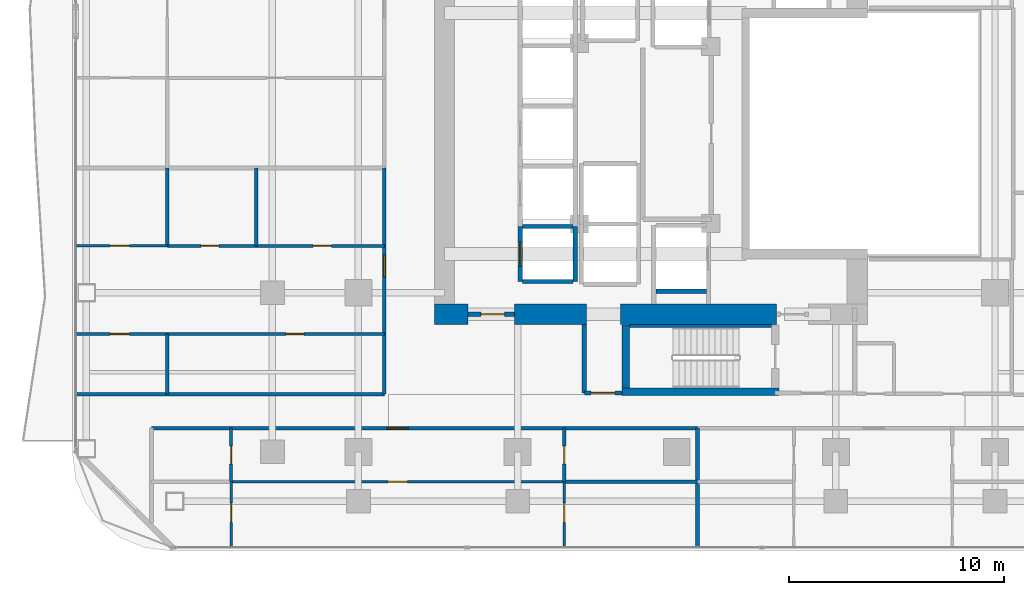
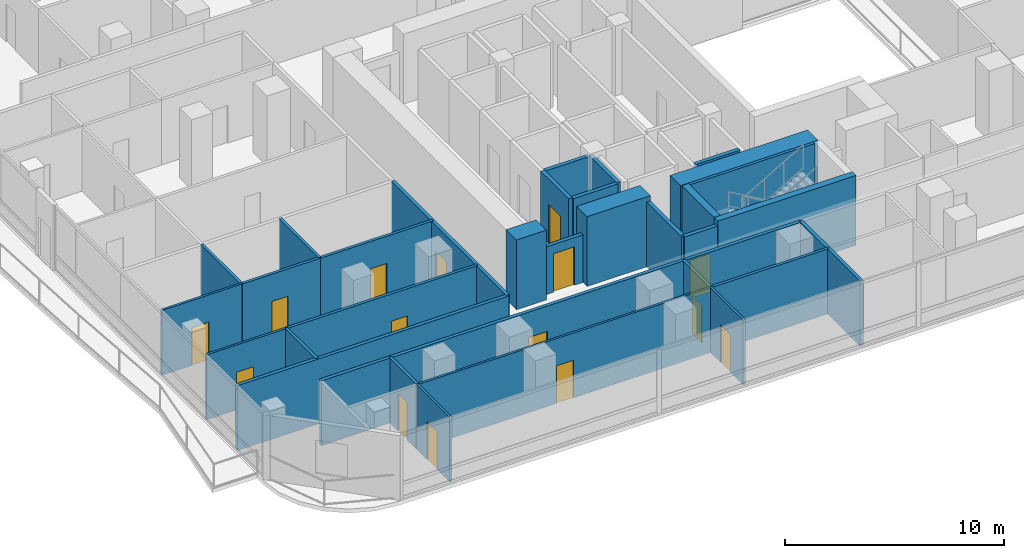
# One storey, part 19 of 28: 32 walls, 15 doors, 15 openings.
"""IFC4 building model written with IfcOpenShell, lengths in metres."""

from ifc_helpers import new_model, si_unit, direction, frame, frame_2d, origin, place, context, subcontext, project, spatial, rectangle, extrude, material, layer, layer_set, type_object, element, fill, save


model = new_model("IFC4")

# Units and contexts
model_context = context("Model", 3, precision=1e-05, world=origin(), true_north=direction((0.0, 1.0)))
body_context = subcontext(model_context, "Body", "Model", "MODEL_VIEW")
ifc_project = project(units=[si_unit("LENGTHUNIT", "METRE"), si_unit("AREAUNIT", "SQUARE_METRE"), si_unit("VOLUMEUNIT", "CUBIC_METRE"), si_unit("PLANEANGLEUNIT", "RADIAN"), si_unit("MASSUNIT", "GRAM", prefix="KILO")], contexts=[model_context])

# Site, building, storey
site_placement = place(None, origin())
site = spatial("IfcSite", under=ifc_project, at=site_placement, CompositionType="ELEMENT")
building_placement = place(site_placement, origin())
building = spatial("IfcBuilding", under=site, at=building_placement, Name="Khorvyn Point Tower", CompositionType="ELEMENT")
storey_placement = place(building_placement, frame((0.0, 0.0, 104.699951171875)))
storey = spatial("IfcBuildingStorey", under=building, at=storey_placement, Name="L26", CompositionType="ELEMENT", Elevation=104.699951171875)

# Wall, opening, door
ifc_material_1 = material(Name="Double acoustic gypsum on twin steel stud", Category="steel")
ifc_layer_1 = layer(ifc_material_1, 0.179931640625)
ifc_layer_set_1 = layer_set([ifc_layer_1], Name="Acoustic Double-Stud Apartment Demising Wall 180")
wall_type_1 = type_object("IfcWallType", Name="Acoustic Double-Stud Apartment Demising Wall 180", PredefinedType="PARTITIONING", material=ifc_layer_set_1)
wall_1_placement = place(storey_placement, frame((-24.419921875, -13.699951171875, 0.0), z_axis=(0.0, 0.0, 1.0), x_axis=(1.0, 0.0, 0.0)))
wall_1 = element("IfcWall", 1, at=wall_1_placement, inside=storey, type_object=wall_type_1, Name="Wall", PredefinedType="PARTITIONING", context=body_context, shape_type="SweptSolid", body=[
    extrude(rectangle(XDim=25.39404296875, YDim=0.179931640625, at=frame_2d((12.697021484375, 0.0))), origin(), (0.0, 0.0, 1.0), 3.6201171875),
])
opening_1_placement = place(wall_1_placement, frame((10.939453125, 0.0, 0.0)))
opening_1 = element("IfcOpeningElement", 2, at=opening_1_placement, cuts=wall_1, Name="Opening ID-AP60", PredefinedType="OPENING", context=body_context, shape_type="SweptSolid", body=[
    extrude(rectangle(XDim=1.0, YDim=2.199951171875, at=frame_2d((0.5, 1.10009765625))), frame((0.0, 0.099853515625, 0.0), z_axis=(0.0, -1.0, 0.0), x_axis=(1.0, 0.0, 0.0)), (0.0, 0.0, 1.0), 0.199951171875),
])
ifc_material_2 = material(Name="Engineered hardwood fire-rated leaf", Category="wood")
door_type_1 = type_object("IfcDoorType", Name="Acoustic Solid-Core Timber Apartment Entrance Door 1000x2200", OperationType="NOTDEFINED", PredefinedType="DOOR", material=ifc_material_2)
door_1_placement = place(opening_1_placement, origin())
door_1 = element("IfcDoor", 3, at=door_1_placement, inside=storey, type_object=door_type_1, Name="Door", OperationType="SINGLE_SWING_RIGHT", OverallHeight=2.199951171875, OverallWidth=1.0, PredefinedType="DOOR", context=body_context, shape_type="SweptSolid", body=[
    extrude(rectangle(XDim=1.0, YDim=2.199951171875, at=frame_2d((0.5, 1.10009765625))), frame((0.0, 0.02490234375, 0.0), z_axis=(0.0, -1.0, 0.0), x_axis=(1.0, 0.0, 0.0)), (0.0, 0.0, 1.0), 0.050048828125),
])
fill(opening_1, door_1)

wall_2_placement = place(storey_placement, frame((-13.60009765625, -12.1201171875, 0.0), z_axis=(0.0, 0.0, 1.0), x_axis=(0.0, 1.0, 0.0)))
wall_2 = element("IfcWall", 4, at=wall_2_placement, inside=storey, type_object=wall_type_1, Name="Wall", PredefinedType="PARTITIONING", context=body_context, shape_type="SweptSolid", body=[
    extrude(rectangle(XDim=10.52001953125, YDim=0.179931640625, at=frame_2d((5.260009765625, 0.0))), origin(), (0.0, 0.0, 1.0), 3.6201171875),
])
opening_2_placement = place(wall_2_placement, frame((5.4677734375, 0.0, 0.0)))
opening_2 = element("IfcOpeningElement", 5, at=opening_2_placement, cuts=wall_2, Name="Opening ID-AP60", PredefinedType="OPENING", context=body_context, shape_type="SweptSolid", body=[
    extrude(rectangle(XDim=1.0, YDim=2.199951171875, at=frame_2d((0.5, 1.10009765625))), frame((0.0, 0.099853515625, 0.0), z_axis=(0.0, -1.0, 0.0), x_axis=(1.0, 0.0, 0.0)), (0.0, 0.0, 1.0), 0.199951171875),
])
door_2_placement = place(opening_2_placement, origin())
door_2 = element("IfcDoor", 6, at=door_2_placement, inside=storey, type_object=door_type_1, Name="Door", OperationType="SINGLE_SWING_LEFT", OverallHeight=2.199951171875, OverallWidth=1.0, PredefinedType="DOOR", context=body_context, shape_type="SweptSolid", body=[
    extrude(rectangle(XDim=1.0, YDim=2.199951171875, at=frame_2d((0.5, 1.10009765625))), frame((0.0, 0.02490234375, 0.0), z_axis=(0.0, -1.0, 0.0), x_axis=(1.0, 0.0, 0.0)), (0.0, 0.0, 1.0), 0.050048828125),
])
fill(opening_2, door_2)

# Walls
wall_3_placement = place(storey_placement, frame((0.97412109375, -19.22998046875, 0.0), z_axis=(0.0, 0.0, 1.0), x_axis=(0.0, 1.0, 0.0)))
element("IfcWall", 7, at=wall_3_placement, inside=storey, type_object=wall_type_1, Name="Wall", PredefinedType="PARTITIONING", context=body_context, shape_type="SweptSolid", body=[
    extrude(rectangle(XDim=5.530029296875, YDim=0.179931640625, at=frame_2d((2.76513671875, 0.0))), origin(), (0.0, 0.0, 1.0), 3.6201171875),
])
wall_4_placement = place(storey_placement, frame((-27.929931640625, -12.1201171875, 0.0), z_axis=(0.0, 0.0, 1.0), x_axis=(1.0, 0.0, 0.0)))
element("IfcWall", 8, at=wall_4_placement, inside=storey, type_object=wall_type_1, Name="Wall", PredefinedType="PARTITIONING", context=body_context, shape_type="SweptSolid", body=[
    extrude(rectangle(XDim=14.329833984375, YDim=0.179931640625, at=frame_2d((7.1650390625, 0.0))), origin(), (0.0, 0.0, 1.0), 3.6201171875),
])

# Wall, opening, door
ifc_material_3 = material(Name="Concrete C40/50", Category="concrete")
ifc_layer_2 = layer(ifc_material_3, 0.199951171875)
ifc_layer_set_2 = layer_set([ifc_layer_2], Name="Concrete C40/50 Fire-Lobby Compartment Wall 200")
wall_type_2 = type_object("IfcWallType", Name="Concrete C40/50 Fire-Lobby Compartment Wall 200", PredefinedType="SOLIDWALL", material=ifc_layer_set_2)
wall_5_placement = place(storey_placement, frame((-9.699951171875, -8.39990234375, 0.0), z_axis=(0.0, 0.0, 1.0), x_axis=(1.0, 0.0, 0.0)))
wall_5 = element("IfcWall", 9, at=wall_5_placement, inside=storey, type_object=wall_type_2, Name="Wall", PredefinedType="SOLIDWALL", context=body_context, shape_type="SweptSolid", body=[
    extrude(rectangle(XDim=2.14990234375, YDim=0.199951171875, at=frame_2d((1.074951171875, 0.0))), origin(), (0.0, 0.0, 1.0), 2.66015625),
])
opening_3_placement = place(wall_5_placement, frame((0.597900390625, 0.0, 0.0)))
opening_3 = element("IfcOpeningElement", 10, at=opening_3_placement, cuts=wall_5, Name="Opening ID-FL90", PredefinedType="OPENING", context=body_context, shape_type="SweptSolid", body=[
    extrude(rectangle(XDim=1.10009765625, YDim=2.14990234375, at=frame_2d((0.550048828125, 1.074951171875))), frame((0.0, 0.10986328125, 0.0), z_axis=(0.0, -1.0, 0.0), x_axis=(1.0, 0.0, 0.0)), (0.0, 0.0, 1.0), 0.219970703125),
])
ifc_material_4 = material(Name="Galvanised powder-coated steel", Category="steel")
door_type_2 = type_object("IfcDoorType", Name="Fire-Rated Steel Lobby and Stair Door 1100x2150", OperationType="NOTDEFINED", PredefinedType="DOOR", material=ifc_material_4)
door_3_placement = place(opening_3_placement, origin())
door_3 = element("IfcDoor", 11, at=door_3_placement, inside=storey, type_object=door_type_2, Name="Door", OperationType="SINGLE_SWING_LEFT", OverallHeight=2.14990234375, OverallWidth=1.10009765625, PredefinedType="DOOR", context=body_context, shape_type="SweptSolid", body=[
    extrude(rectangle(XDim=1.10009765625, YDim=2.14990234375, at=frame_2d((0.550048828125, 1.074951171875))), frame((0.0, 0.02490234375, 0.0), z_axis=(0.0, -1.0, 0.0), x_axis=(1.0, 0.0, 0.0)), (0.0, 0.0, 1.0), 0.050048828125),
])
fill(opening_3, door_3)

wall_6_placement = place(storey_placement, frame((-4.300048828125, -12.06005859375, 0.0), z_axis=(0.0, 0.0, 1.0), x_axis=(1.0, 0.0, 0.0)))
wall_6 = element("IfcWall", 12, at=wall_6_placement, inside=storey, type_object=wall_type_2, Name="Wall", PredefinedType="SOLIDWALL", context=body_context, shape_type="SweptSolid", body=[
    extrude(rectangle(XDim=1.75, YDim=0.199951171875, at=frame_2d((0.875, 0.0))), origin(), (0.0, 0.0, 1.0), 3.6201171875),
])
opening_4_placement = place(wall_6_placement, frame((0.324951171875, 0.0, 0.0)))
opening_4 = element("IfcOpeningElement", 13, at=opening_4_placement, cuts=wall_6, Name="Opening ID-FL90", PredefinedType="OPENING", context=body_context, shape_type="SweptSolid", body=[
    extrude(rectangle(XDim=1.10009765625, YDim=2.14990234375, at=frame_2d((0.550048828125, 1.074951171875))), frame((0.0, 0.10986328125, 0.0), z_axis=(0.0, -1.0, 0.0), x_axis=(1.0, 0.0, 0.0)), (0.0, 0.0, 1.0), 0.219970703125),
])
door_4_placement = place(opening_4_placement, origin())
door_4 = element("IfcDoor", 14, at=door_4_placement, inside=storey, type_object=door_type_2, Name="Door", OperationType="SINGLE_SWING_LEFT", OverallHeight=2.14990234375, OverallWidth=1.10009765625, PredefinedType="DOOR", context=body_context, shape_type="SweptSolid", body=[
    extrude(rectangle(XDim=1.10009765625, YDim=2.14990234375, at=frame_2d((0.550048828125, 1.074951171875))), frame((0.0, 0.02490234375, 0.0), z_axis=(0.0, -1.0, 0.0), x_axis=(1.0, 0.0, 0.0)), (0.0, 0.0, 1.0), 0.050048828125),
])
fill(opening_4, door_4)

# Walls
wall_7_placement = place(storey_placement, frame((-4.300048828125, -12.06005859375, 0.0), z_axis=(0.0, 0.0, 1.0), x_axis=(0.0, 1.0, 0.0)))
element("IfcWall", 15, at=wall_7_placement, inside=storey, type_object=wall_type_2, Name="Wall", PredefinedType="SOLIDWALL", context=body_context, shape_type="SweptSolid", body=[
    extrude(rectangle(XDim=3.18505859375, YDim=0.199951171875, at=frame_2d((1.592529296875, 0.0))), origin(), (0.0, 0.0, 1.0), 3.6201171875),
])
ifc_layer_3 = layer(ifc_material_3, 0.25)
ifc_layer_set_3 = layer_set([ifc_layer_3], Name="Concrete C40/50 Stair Inner Cheek Structural Wall 250")
wall_type_3 = type_object("IfcWallType", Name="Concrete C40/50 Stair Inner Cheek Structural Wall 250", PredefinedType="SHEAR", material=ifc_layer_set_3)
wall_8_placement = place(storey_placement, frame((-2.199951171875, -8.949951171875, 0.0), z_axis=(0.0, 0.0, 1.0), x_axis=(1.0, 0.0, 0.0)))
element("IfcWall", 16, at=wall_8_placement, inside=storey, type_object=wall_type_3, Name="Wall", PredefinedType="SHEAR", context=body_context, shape_type="SweptSolid", body=[
    extrude(rectangle(XDim=6.599853515625, YDim=0.14990234375, at=frame_2d((3.2998046875, 0.0))), origin(), (0.0, 0.0, 1.0), 3.900146484375),
])
ifc_layer_4 = layer(ifc_material_3, 0.35009765625)
ifc_layer_set_4 = layer_set([ifc_layer_4], Name="Concrete C40/50 Stair Shaft Structural Wall 350")
wall_type_4 = type_object("IfcWallType", Name="Concrete C40/50 Stair Shaft Structural Wall 350", PredefinedType="SHEAR", material=ifc_layer_set_4)
wall_9_placement = place(storey_placement, frame((-2.554931640625, -12.0, 0.0), z_axis=(0.0, 0.0, 1.0), x_axis=(1.0, 0.0, 0.0)))
element("IfcWall", 17, at=wall_9_placement, inside=storey, type_object=wall_type_4, Name="L26 ST-01 South Shaft Wall", PredefinedType="SHEAR", context=body_context, shape_type="SweptSolid", body=[
    extrude(rectangle(XDim=7.309814453125, YDim=0.35009765625, at=frame_2d((3.65478515625, 0.0))), origin(), (0.0, 0.0, 1.0), 3.900146484375),
])
wall_10_placement = place(storey_placement, frame((-2.3798828125, -11.824951171875, 0.0), z_axis=(0.0, 0.0, 1.0), x_axis=(0.0, 1.0, 0.0)))
element("IfcWall", 18, at=wall_10_placement, inside=storey, type_object=wall_type_4, Name="L26 ST-01 West Shaft Wall", PredefinedType="SHEAR", context=body_context, shape_type="SweptSolid", body=[
    extrude(rectangle(XDim=2.925048828125, YDim=0.35009765625, at=frame_2d((1.46240234375, 0.0))), origin(), (0.0, 0.0, 1.0), 3.900146484375),
])

# Wall, opening, door
ifc_layer_5 = layer(ifc_material_3, 0.199951171875)
ifc_layer_set_5 = layer_set([ifc_layer_5], Name="Concrete C40/50 Structural Hoistway and Stair Shaft Wall 200")
wall_type_5 = type_object("IfcWallType", Name="Concrete C40/50 Structural Hoistway and Stair Shaft Wall 200", PredefinedType="SHEAR", material=ifc_layer_set_5)
wall_11_placement = place(storey_placement, frame((-7.27490234375, -6.875, 0.0), z_axis=(0.0, 0.0, 1.0), x_axis=(0.0, 1.0, 0.0)))
wall_11 = element("IfcWall", 19, at=wall_11_placement, inside=storey, type_object=wall_type_5, Name="Wall", PredefinedType="SHEAR", context=body_context, shape_type="SweptSolid", body=[
    extrude(rectangle(XDim=2.550048828125, YDim=0.199951171875, at=frame_2d((1.27490234375, 0.0))), origin(), (0.0, 0.0, 1.0), 3.6201171875),
])
opening_5_placement = place(wall_11_placement, frame((0.72509765625, 0.0, 0.0)))
opening_5 = element("IfcOpeningElement", 20, at=opening_5_placement, cuts=wall_11, Name="Opening LD-1122", PredefinedType="OPENING", context=body_context, shape_type="SweptSolid", body=[
    extrude(rectangle(XDim=1.10009765625, YDim=2.199951171875, at=frame_2d((0.550048828125, 1.10009765625))), frame((0.0, 0.10986328125, 0.0), z_axis=(0.0, -1.0, 0.0), x_axis=(1.0, 0.0, 0.0)), (0.0, 0.0, 1.0), 0.219970703125),
])
ifc_material_5 = material(Name="Stainless steel 1.4301", Category="steel")
door_type_3 = type_object("IfcDoorType", Name="Stainless Steel Automatic Sliding Lift Landing Door 1100x2200", OperationType="SLIDING_TO_LEFT", PredefinedType="DOOR", material=ifc_material_5)
door_5_placement = place(opening_5_placement, origin())
door_5 = element("IfcDoor", 21, at=door_5_placement, inside=storey, type_object=door_type_3, Name="L26 RL-01 Sliding Lift Landing Door", OperationType="SLIDING_TO_LEFT", OverallHeight=2.199951171875, OverallWidth=1.10009765625, PredefinedType="DOOR", context=body_context, shape_type="SweptSolid", body=[
    extrude(rectangle(XDim=1.10009765625, YDim=2.199951171875, at=frame_2d((0.550048828125, 1.10009765625))), frame((0.0, 0.02490234375, 0.0), z_axis=(0.0, -1.0, 0.0), x_axis=(1.0, 0.0, 0.0)), (0.0, 0.0, 1.0), 0.050048828125),
])
fill(opening_5, door_5)

# Walls
wall_12_placement = place(storey_placement, frame((-4.72509765625, -6.875, 0.0), z_axis=(0.0, 0.0, 1.0), x_axis=(0.0, 1.0, 0.0)))
element("IfcWall", 22, at=wall_12_placement, inside=storey, type_object=wall_type_5, Name="Wall", PredefinedType="SHEAR", context=body_context, shape_type="SweptSolid", body=[
    extrude(rectangle(XDim=2.550048828125, YDim=0.199951171875, at=frame_2d((1.27490234375, 0.0))), origin(), (0.0, 0.0, 1.0), 3.6201171875),
])
for number, where, z_axis, x_axis, name in (
    (23, (-7.175048828125, -6.875, 0.0), (0.0, 0.0, 1.0), (1.0, 0.0, 0.0), "Wall"),
    (24, (-7.175048828125, -4.324951171875, 0.0), (0.0, 0.0, 1.0), (1.0, 0.0, 0.0), "Wall"),
    (25, (-0.97509765625, -7.324951171875, 0.0), (0.0, 0.0, 1.0), (1.0, 0.0, 0.0), "Wall"),
):
    element("IfcWall", number, at=place(storey_placement, frame(where, z_axis=z_axis, x_axis=x_axis)), inside=storey, type_object=wall_type_5, Name=name, PredefinedType="SHEAR", context=body_context, shape_type="SweptSolid", body=[
        extrude(rectangle(XDim=2.35009765625, YDim=0.199951171875, at=frame_2d((1.175048828125, 0.0))), origin(), (0.0, 0.0, 1.0), 3.6201171875),
    ])
ifc_material_6 = material(Name="Concrete C50/60", Category="concrete")
ifc_layer_6 = layer(ifc_material_6, 0.949951171875)
ifc_layer_set_6 = layer_set([ifc_layer_6], Name="Concrete C50/60 Core Shear Wall 950")
wall_type_6 = type_object("IfcWallType", Name="Concrete C50/60 Core Shear Wall 950", PredefinedType="SHEAR", material=ifc_layer_set_6)
wall_13_placement = place(storey_placement, frame((-11.27490234375, -8.39990234375, 0.0), z_axis=(0.0, 0.0, 1.0), x_axis=(1.0, 0.0, 0.0)))
element("IfcWall", 26, at=wall_13_placement, inside=storey, type_object=wall_type_6, Name="Wall", PredefinedType="SHEAR", context=body_context, shape_type="SweptSolid", body=[
    extrude(rectangle(XDim=1.574951171875, YDim=0.949951171875, at=frame_2d((0.78759765625, 0.0))), origin(), (0.0, 0.0, 1.0), 3.900146484375),
])
wall_14_placement = place(storey_placement, frame((-7.550048828125, -8.39990234375, 0.0), z_axis=(0.0, 0.0, 1.0), x_axis=(1.0, 0.0, 0.0)))
element("IfcWall", 27, at=wall_14_placement, inside=storey, type_object=wall_type_6, Name="Wall", PredefinedType="SHEAR", context=body_context, shape_type="SweptSolid", body=[
    extrude(rectangle(XDim=3.35009765625, YDim=0.949951171875, at=frame_2d((1.675048828125, 0.0))), origin(), (0.0, 0.0, 1.0), 3.900146484375),
])
wall_15_placement = place(storey_placement, frame((-2.6201171875, -8.39990234375, 0.0), z_axis=(0.0, 0.0, 1.0), x_axis=(1.0, 0.0, 0.0)))
element("IfcWall", 28, at=wall_15_placement, inside=storey, type_object=wall_type_6, Name="Wall", PredefinedType="SHEAR", context=body_context, shape_type="SweptSolid", body=[
    extrude(rectangle(XDim=7.27001953125, YDim=0.949951171875, at=frame_2d((3.635009765625, 0.0))), origin(), (0.0, 0.0, 1.0), 3.900146484375),
])

# Wall, opening, door
ifc_material_7 = material(Name="Gypsum plasterboard on steel stud", Category="steel")
ifc_layer_7 = layer(ifc_material_7, 0.1201171875)
ifc_layer_set_7 = layer_set([ifc_layer_7], Name="Gypsum Acoustic Stud Room Partition Wall 120")
wall_type_7 = type_object("IfcWallType", Name="Gypsum Acoustic Stud Room Partition Wall 120", PredefinedType="PARTITIONING", material=ifc_layer_set_7)
wall_16_placement = place(storey_placement, frame((-20.72509765625, -16.18994140625, 0.0), z_axis=(0.0, 0.0, 1.0), x_axis=(1.0, 0.0, 0.0)))
wall_16 = element("IfcWall", 29, at=wall_16_placement, inside=storey, type_object=wall_type_7, Name="Wall", PredefinedType="PARTITIONING", context=body_context, shape_type="SweptSolid", body=[
    extrude(rectangle(XDim=15.4931640625, YDim=0.1201171875, at=frame_2d((7.74658203125, 0.0))), origin(), (0.0, 0.0, 1.0), 3.6201171875),
])
opening_6_placement = place(wall_16_placement, frame((7.29638671875, 0.0, 0.0)))
opening_6 = element("IfcOpeningElement", 30, at=opening_6_placement, cuts=wall_16, Name="Opening ID-RM90", PredefinedType="OPENING", context=body_context, shape_type="SweptSolid", body=[
    extrude(rectangle(XDim=0.89990234375, YDim=2.10009765625, at=frame_2d((0.449951171875, 1.050048828125))), frame((0.0, 0.070068359375, 0.0), z_axis=(0.0, -1.0, 0.0), x_axis=(1.0, 0.0, 0.0)), (0.0, 0.0, 1.0), 0.14013671875),
])
ifc_material_8 = material(Name="Engineered oak veneer timber", Category="wood")
door_type_4 = type_object("IfcDoorType", Name="Flush Engineered Timber Room Door 900x2100", OperationType="NOTDEFINED", PredefinedType="DOOR", material=ifc_material_8)
door_6_placement = place(opening_6_placement, origin())
door_6 = element("IfcDoor", 31, at=door_6_placement, inside=storey, type_object=door_type_4, Name="Door", OperationType="SINGLE_SWING_LEFT", OverallHeight=2.10009765625, OverallWidth=0.89990234375, PredefinedType="DOOR", context=body_context, shape_type="SweptSolid", body=[
    extrude(rectangle(XDim=0.89990234375, YDim=2.10009765625, at=frame_2d((0.449951171875, 1.050048828125))), frame((0.0, 0.02490234375, 0.0), z_axis=(0.0, -1.0, 0.0), x_axis=(1.0, 0.0, 0.0)), (0.0, 0.0, 1.0), 0.050048828125),
])
fill(opening_6, door_6)

wall_17_placement = place(storey_placement, frame((-20.72509765625, -19.22998046875, 0.0), z_axis=(0.0, 0.0, 1.0), x_axis=(0.0, 1.0, 0.0)))
wall_17 = element("IfcWall", 32, at=wall_17_placement, inside=storey, type_object=wall_type_7, Name="Wall", PredefinedType="PARTITIONING", context=body_context, shape_type="SweptSolid", body=[
    extrude(rectangle(XDim=3.0400390625, YDim=0.1201171875, at=frame_2d((1.52001953125, 0.0))), origin(), (0.0, 0.0, 1.0), 3.6201171875),
])
opening_7_placement = place(wall_17_placement, frame((1.152587890625, 0.0, 0.0)))
opening_7 = element("IfcOpeningElement", 33, at=opening_7_placement, cuts=wall_17, Name="Opening ID-RM90", PredefinedType="OPENING", context=body_context, shape_type="SweptSolid", body=[
    extrude(rectangle(XDim=0.89990234375, YDim=2.10009765625, at=frame_2d((0.449951171875, 1.050048828125))), frame((0.0, 0.070068359375, 0.0), z_axis=(0.0, -1.0, 0.0), x_axis=(1.0, 0.0, 0.0)), (0.0, 0.0, 1.0), 0.14013671875),
])
door_7_placement = place(opening_7_placement, origin())
door_7 = element("IfcDoor", 34, at=door_7_placement, inside=storey, type_object=door_type_4, Name="Door", OperationType="SINGLE_SWING_LEFT", OverallHeight=2.10009765625, OverallWidth=0.89990234375, PredefinedType="DOOR", context=body_context, shape_type="SweptSolid", body=[
    extrude(rectangle(XDim=0.89990234375, YDim=2.10009765625, at=frame_2d((0.449951171875, 1.050048828125))), frame((0.0, 0.02490234375, 0.0), z_axis=(0.0, -1.0, 0.0), x_axis=(1.0, 0.0, 0.0)), (0.0, 0.0, 1.0), 0.050048828125),
])
fill(opening_7, door_7)

wall_18_placement = place(storey_placement, frame((-5.23193359375, -19.22998046875, 0.0), z_axis=(0.0, 0.0, 1.0), x_axis=(0.0, 1.0, 0.0)))
wall_18 = element("IfcWall", 35, at=wall_18_placement, inside=storey, type_object=wall_type_7, Name="Wall", PredefinedType="PARTITIONING", context=body_context, shape_type="SweptSolid", body=[
    extrude(rectangle(XDim=3.0400390625, YDim=0.1201171875, at=frame_2d((1.52001953125, 0.0))), origin(), (0.0, 0.0, 1.0), 3.6201171875),
])
opening_8_placement = place(wall_18_placement, frame((1.152587890625, 0.0, 0.0)))
opening_8 = element("IfcOpeningElement", 36, at=opening_8_placement, cuts=wall_18, Name="Opening ID-RM90", PredefinedType="OPENING", context=body_context, shape_type="SweptSolid", body=[
    extrude(rectangle(XDim=0.89990234375, YDim=2.10009765625, at=frame_2d((0.449951171875, 1.050048828125))), frame((0.0, 0.070068359375, 0.0), z_axis=(0.0, -1.0, 0.0), x_axis=(1.0, 0.0, 0.0)), (0.0, 0.0, 1.0), 0.14013671875),
])
door_8_placement = place(opening_8_placement, origin())
door_8 = element("IfcDoor", 37, at=door_8_placement, inside=storey, type_object=door_type_4, Name="Door", OperationType="SINGLE_SWING_LEFT", OverallHeight=2.10009765625, OverallWidth=0.89990234375, PredefinedType="DOOR", context=body_context, shape_type="SweptSolid", body=[
    extrude(rectangle(XDim=0.89990234375, YDim=2.10009765625, at=frame_2d((0.449951171875, 1.050048828125))), frame((0.0, 0.02490234375, 0.0), z_axis=(0.0, -1.0, 0.0), x_axis=(1.0, 0.0, 0.0)), (0.0, 0.0, 1.0), 0.050048828125),
])
fill(opening_8, door_8)

wall_19_placement = place(storey_placement, frame((-27.929931640625, -9.320068359375, 0.0), z_axis=(0.0, 0.0, 1.0), x_axis=(1.0, 0.0, 0.0)))
wall_19 = element("IfcWall", 38, at=wall_19_placement, inside=storey, type_object=wall_type_7, Name="Wall", PredefinedType="PARTITIONING", context=body_context, shape_type="SweptSolid", body=[
    extrude(rectangle(XDim=4.239990234375, YDim=0.1201171875, at=frame_2d((2.1201171875, 0.0))), origin(), (0.0, 0.0, 1.0), 3.6201171875),
])
opening_9_placement = place(wall_19_placement, frame((1.581298828125, 0.0, 0.0)))
opening_9 = element("IfcOpeningElement", 39, at=opening_9_placement, cuts=wall_19, Name="Opening ID-RM90", PredefinedType="OPENING", context=body_context, shape_type="SweptSolid", body=[
    extrude(rectangle(XDim=0.89990234375, YDim=2.10009765625, at=frame_2d((0.449951171875, 1.050048828125))), frame((0.0, 0.070068359375, 0.0), z_axis=(0.0, -1.0, 0.0), x_axis=(1.0, 0.0, 0.0)), (0.0, 0.0, 1.0), 0.14013671875),
])
door_9_placement = place(opening_9_placement, origin())
door_9 = element("IfcDoor", 40, at=door_9_placement, inside=storey, type_object=door_type_4, Name="Door", OperationType="SINGLE_SWING_LEFT", OverallHeight=2.10009765625, OverallWidth=0.89990234375, PredefinedType="DOOR", context=body_context, shape_type="SweptSolid", body=[
    extrude(rectangle(XDim=0.89990234375, YDim=2.10009765625, at=frame_2d((0.449951171875, 1.050048828125))), frame((0.0, 0.02490234375, 0.0), z_axis=(0.0, -1.0, 0.0), x_axis=(1.0, 0.0, 0.0)), (0.0, 0.0, 1.0), 0.050048828125),
])
fill(opening_9, door_9)

wall_20_placement = place(storey_placement, frame((-27.929931640625, -5.22412109375, 0.0), z_axis=(0.0, 0.0, 1.0), x_axis=(1.0, 0.0, 0.0)))
wall_20 = element("IfcWall", 41, at=wall_20_placement, inside=storey, type_object=wall_type_7, Name="Wall", PredefinedType="PARTITIONING", context=body_context, shape_type="SweptSolid", body=[
    extrude(rectangle(XDim=4.239990234375, YDim=0.1201171875, at=frame_2d((2.1201171875, 0.0))), origin(), (0.0, 0.0, 1.0), 3.6201171875),
])
opening_10_placement = place(wall_20_placement, frame((1.581298828125, 0.0, 0.0)))
opening_10 = element("IfcOpeningElement", 42, at=opening_10_placement, cuts=wall_20, Name="Opening ID-RM90", PredefinedType="OPENING", context=body_context, shape_type="SweptSolid", body=[
    extrude(rectangle(XDim=0.89990234375, YDim=2.10009765625, at=frame_2d((0.449951171875, 1.050048828125))), frame((0.0, 0.070068359375, 0.0), z_axis=(0.0, -1.0, 0.0), x_axis=(1.0, 0.0, 0.0)), (0.0, 0.0, 1.0), 0.14013671875),
])
door_10_placement = place(opening_10_placement, origin())
door_10 = element("IfcDoor", 43, at=door_10_placement, inside=storey, type_object=door_type_4, Name="Door", OperationType="SINGLE_SWING_RIGHT", OverallHeight=2.10009765625, OverallWidth=0.89990234375, PredefinedType="DOOR", context=body_context, shape_type="SweptSolid", body=[
    extrude(rectangle(XDim=0.89990234375, YDim=2.10009765625, at=frame_2d((0.449951171875, 1.050048828125))), frame((0.0, 0.02490234375, 0.0), z_axis=(0.0, -1.0, 0.0), x_axis=(1.0, 0.0, 0.0)), (0.0, 0.0, 1.0), 0.050048828125),
])
fill(opening_10, door_10)

ifc_material_9 = material(Name="Moisture-resistant gypsum and cement board", Category="gypsum")
ifc_layer_8 = layer(ifc_material_9, 0.14990234375)
ifc_layer_set_8 = layer_set([ifc_layer_8], Name="Moisture-Resistant Wet-Room Partition Wall 150")
wall_type_8 = type_object("IfcWallType", Name="Moisture-Resistant Wet-Room Partition Wall 150", PredefinedType="PARTITIONING", material=ifc_layer_set_8)
wall_21_placement = place(storey_placement, frame((-20.72509765625, -16.18994140625, 0.0), z_axis=(0.0, 0.0, 1.0), x_axis=(0.0, 1.0, 0.0)))
wall_21 = element("IfcWall", 44, at=wall_21_placement, inside=storey, type_object=wall_type_8, Name="Wall", PredefinedType="PARTITIONING", context=body_context, shape_type="SweptSolid", body=[
    extrude(rectangle(XDim=2.489990234375, YDim=0.14990234375, at=frame_2d((1.2451171875, 0.0))), origin(), (0.0, 0.0, 1.0), 3.6201171875),
])
opening_11_placement = place(wall_21_placement, frame((0.820068359375, 0.0, 0.0)))
opening_11 = element("IfcOpeningElement", 45, at=opening_11_placement, cuts=wall_21, Name="Opening ID-WC85", PredefinedType="OPENING", context=body_context, shape_type="SweptSolid", body=[
    extrude(rectangle(XDim=0.85009765625, YDim=2.10009765625, at=frame_2d((0.425048828125, 1.050048828125))), frame((0.0, 0.0849609375, 0.0), z_axis=(0.0, -1.0, 0.0), x_axis=(1.0, 0.0, 0.0)), (0.0, 0.0, 1.0), 0.169921875),
])
ifc_material_10 = material(Name="High-pressure laminate on moisture-resistant core", Category="wood")
door_type_5 = type_object("IfcDoorType", Name="Moisture-Resistant Accessible Washroom Door 850x2100", OperationType="NOTDEFINED", PredefinedType="DOOR", material=ifc_material_10)
door_11_placement = place(opening_11_placement, origin())
door_11 = element("IfcDoor", 46, at=door_11_placement, inside=storey, type_object=door_type_5, Name="Door", OperationType="SINGLE_SWING_RIGHT", OverallHeight=2.10009765625, OverallWidth=0.85009765625, PredefinedType="DOOR", context=body_context, shape_type="SweptSolid", body=[
    extrude(rectangle(XDim=0.85009765625, YDim=2.10009765625, at=frame_2d((0.425048828125, 1.050048828125))), frame((0.0, 0.02490234375, 0.0), z_axis=(0.0, -1.0, 0.0), x_axis=(1.0, 0.0, 0.0)), (0.0, 0.0, 1.0), 0.050048828125),
])
fill(opening_11, door_11)

wall_22_placement = place(storey_placement, frame((-5.23193359375, -16.18994140625, 0.0), z_axis=(0.0, 0.0, 1.0), x_axis=(0.0, 1.0, 0.0)))
wall_22 = element("IfcWall", 47, at=wall_22_placement, inside=storey, type_object=wall_type_8, Name="Wall", PredefinedType="PARTITIONING", context=body_context, shape_type="SweptSolid", body=[
    extrude(rectangle(XDim=2.489990234375, YDim=0.14990234375, at=frame_2d((1.2451171875, 0.0))), origin(), (0.0, 0.0, 1.0), 3.6201171875),
])
opening_12_placement = place(wall_22_placement, frame((0.820068359375, 0.0, 0.0)))
opening_12 = element("IfcOpeningElement", 48, at=opening_12_placement, cuts=wall_22, Name="Opening ID-WC85", PredefinedType="OPENING", context=body_context, shape_type="SweptSolid", body=[
    extrude(rectangle(XDim=0.85009765625, YDim=2.10009765625, at=frame_2d((0.425048828125, 1.050048828125))), frame((0.0, 0.0849609375, 0.0), z_axis=(0.0, -1.0, 0.0), x_axis=(1.0, 0.0, 0.0)), (0.0, 0.0, 1.0), 0.169921875),
])
door_12_placement = place(opening_12_placement, origin())
door_12 = element("IfcDoor", 49, at=door_12_placement, inside=storey, type_object=door_type_5, Name="Door", OperationType="SINGLE_SWING_RIGHT", OverallHeight=2.10009765625, OverallWidth=0.85009765625, PredefinedType="DOOR", context=body_context, shape_type="SweptSolid", body=[
    extrude(rectangle(XDim=0.85009765625, YDim=2.10009765625, at=frame_2d((0.425048828125, 1.050048828125))), frame((0.0, 0.02490234375, 0.0), z_axis=(0.0, -1.0, 0.0), x_axis=(1.0, 0.0, 0.0)), (0.0, 0.0, 1.0), 0.050048828125),
])
fill(opening_12, door_12)

wall_23_placement = place(storey_placement, frame((-23.68994140625, -5.22412109375, 0.0), z_axis=(0.0, 0.0, 1.0), x_axis=(1.0, 0.0, 0.0)))
wall_23 = element("IfcWall", 50, at=wall_23_placement, inside=storey, type_object=wall_type_8, Name="Wall", PredefinedType="PARTITIONING", context=body_context, shape_type="SweptSolid", body=[
    extrude(rectangle(XDim=4.136962890625, YDim=0.14990234375, at=frame_2d((2.068359375, 0.0))), origin(), (0.0, 0.0, 1.0), 3.6201171875),
])
opening_13_placement = place(wall_23_placement, frame((1.55615234375, 0.0, 0.0)))
opening_13 = element("IfcOpeningElement", 51, at=opening_13_placement, cuts=wall_23, Name="Opening ID-WC85", PredefinedType="OPENING", context=body_context, shape_type="SweptSolid", body=[
    extrude(rectangle(XDim=0.85009765625, YDim=2.10009765625, at=frame_2d((0.425048828125, 1.050048828125))), frame((0.0, 0.0849609375, 0.0), z_axis=(0.0, -1.0, 0.0), x_axis=(1.0, 0.0, 0.0)), (0.0, 0.0, 1.0), 0.169921875),
])
door_13_placement = place(opening_13_placement, origin())
door_13 = element("IfcDoor", 52, at=door_13_placement, inside=storey, type_object=door_type_5, Name="Door", OperationType="SINGLE_SWING_RIGHT", OverallHeight=2.10009765625, OverallWidth=0.85009765625, PredefinedType="DOOR", context=body_context, shape_type="SweptSolid", body=[
    extrude(rectangle(XDim=0.85009765625, YDim=2.10009765625, at=frame_2d((0.425048828125, 1.050048828125))), frame((0.0, 0.02490234375, 0.0), z_axis=(0.0, -1.0, 0.0), x_axis=(1.0, 0.0, 0.0)), (0.0, 0.0, 1.0), 0.050048828125),
])
fill(opening_13, door_13)

wall_24_placement = place(storey_placement, frame((-19.552978515625, -5.22412109375, 0.0), z_axis=(0.0, 0.0, 1.0), x_axis=(1.0, 0.0, 0.0)))
wall_24 = element("IfcWall", 53, at=wall_24_placement, inside=storey, type_object=wall_type_8, Name="Wall", PredefinedType="PARTITIONING", context=body_context, shape_type="SweptSolid", body=[
    extrude(rectangle(XDim=5.952880859375, YDim=0.14990234375, at=frame_2d((2.9765625, 0.0))), origin(), (0.0, 0.0, 1.0), 3.6201171875),
])
opening_14_placement = place(wall_24_placement, frame((2.64013671875, 0.0, 0.0)))
opening_14 = element("IfcOpeningElement", 54, at=opening_14_placement, cuts=wall_24, Name="Opening ID-WC85", PredefinedType="OPENING", context=body_context, shape_type="SweptSolid", body=[
    extrude(rectangle(XDim=0.85009765625, YDim=2.10009765625, at=frame_2d((0.425048828125, 1.050048828125))), frame((0.0, 0.0849609375, 0.0), z_axis=(0.0, -1.0, 0.0), x_axis=(1.0, 0.0, 0.0)), (0.0, 0.0, 1.0), 0.169921875),
])
door_14_placement = place(opening_14_placement, origin())
door_14 = element("IfcDoor", 55, at=door_14_placement, inside=storey, type_object=door_type_5, Name="Door", OperationType="SINGLE_SWING_LEFT", OverallHeight=2.10009765625, OverallWidth=0.85009765625, PredefinedType="DOOR", context=body_context, shape_type="SweptSolid", body=[
    extrude(rectangle(XDim=0.85009765625, YDim=2.10009765625, at=frame_2d((0.425048828125, 1.050048828125))), frame((0.0, 0.02490234375, 0.0), z_axis=(0.0, -1.0, 0.0), x_axis=(1.0, 0.0, 0.0)), (0.0, 0.0, 1.0), 0.050048828125),
])
fill(opening_14, door_14)

wall_25_placement = place(storey_placement, frame((-23.68994140625, -9.320068359375, 0.0), z_axis=(0.0, 0.0, 1.0), x_axis=(1.0, 0.0, 0.0)))
wall_25 = element("IfcWall", 56, at=wall_25_placement, inside=storey, type_object=wall_type_8, Name="Wall", PredefinedType="PARTITIONING", context=body_context, shape_type="SweptSolid", body=[
    extrude(rectangle(XDim=10.08984375, YDim=0.14990234375, at=frame_2d((5.044921875, 0.0))), origin(), (0.0, 0.0, 1.0), 3.6201171875),
])
opening_15_placement = place(wall_25_placement, frame((5.511962890625, 0.0, 0.0)))
opening_15 = element("IfcOpeningElement", 57, at=opening_15_placement, cuts=wall_25, Name="Opening ID-WC85", PredefinedType="OPENING", context=body_context, shape_type="SweptSolid", body=[
    extrude(rectangle(XDim=0.85009765625, YDim=2.10009765625, at=frame_2d((0.425048828125, 1.050048828125))), frame((0.0, 0.0849609375, 0.0), z_axis=(0.0, -1.0, 0.0), x_axis=(1.0, 0.0, 0.0)), (0.0, 0.0, 1.0), 0.169921875),
])
door_15_placement = place(opening_15_placement, origin())
door_15 = element("IfcDoor", 58, at=door_15_placement, inside=storey, type_object=door_type_5, Name="Door", OperationType="SINGLE_SWING_RIGHT", OverallHeight=2.10009765625, OverallWidth=0.85009765625, PredefinedType="DOOR", context=body_context, shape_type="SweptSolid", body=[
    extrude(rectangle(XDim=0.85009765625, YDim=2.10009765625, at=frame_2d((0.425048828125, 1.050048828125))), frame((0.0, 0.02490234375, 0.0), z_axis=(0.0, -1.0, 0.0), x_axis=(1.0, 0.0, 0.0)), (0.0, 0.0, 1.0), 0.050048828125),
])
fill(opening_15, door_15)

# Walls
wall_26_placement = place(storey_placement, frame((-5.23193359375, -16.18994140625, 0.0), z_axis=(0.0, 0.0, 1.0), x_axis=(1.0, 0.0, 0.0)))
element("IfcWall", 59, at=wall_26_placement, inside=storey, type_object=wall_type_8, Name="Wall", PredefinedType="PARTITIONING", context=body_context, shape_type="SweptSolid", body=[
    extrude(rectangle(XDim=6.2060546875, YDim=0.14990234375, at=frame_2d((3.10302734375, 0.0))), origin(), (0.0, 0.0, 1.0), 3.6201171875),
])
wall_27_placement = place(storey_placement, frame((-19.552978515625, -5.22412109375, 0.0), z_axis=(0.0, 0.0, 1.0), x_axis=(0.0, 1.0, 0.0)))
element("IfcWall", 60, at=wall_27_placement, inside=storey, type_object=wall_type_8, Name="Wall", PredefinedType="PARTITIONING", context=body_context, shape_type="SweptSolid", body=[
    extrude(rectangle(XDim=3.6240234375, YDim=0.14990234375, at=frame_2d((1.81201171875, 0.0))), origin(), (0.0, 0.0, 1.0), 3.6201171875),
])
wall_28_placement = place(storey_placement, frame((-23.68994140625, -12.1201171875, 0.0), z_axis=(0.0, 0.0, 1.0), x_axis=(0.0, 1.0, 0.0)))
element("IfcWall", 61, at=wall_28_placement, inside=storey, type_object=wall_type_8, Name="Wall", PredefinedType="PARTITIONING", context=body_context, shape_type="SweptSolid", body=[
    extrude(rectangle(XDim=2.800048828125, YDim=0.14990234375, at=frame_2d((1.39990234375, 0.0))), origin(), (0.0, 0.0, 1.0), 3.6201171875),
])
wall_29_placement = place(storey_placement, frame((-23.68994140625, -5.22412109375, 0.0), z_axis=(0.0, 0.0, 1.0), x_axis=(0.0, 1.0, 0.0)))
element("IfcWall", 62, at=wall_29_placement, inside=storey, type_object=wall_type_8, Name="Wall", PredefinedType="PARTITIONING", context=body_context, shape_type="SweptSolid", body=[
    extrude(rectangle(XDim=3.6240234375, YDim=0.14990234375, at=frame_2d((1.81201171875, 0.0))), origin(), (0.0, 0.0, 1.0), 3.6201171875),
])

save(model, "model.ifc")
